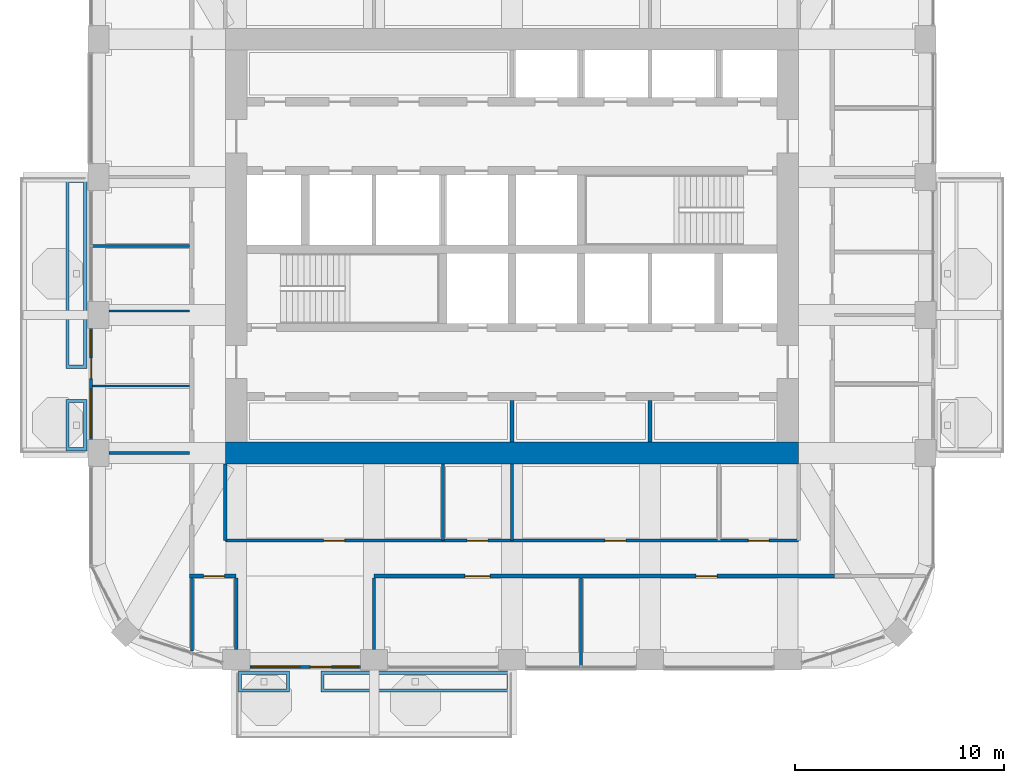
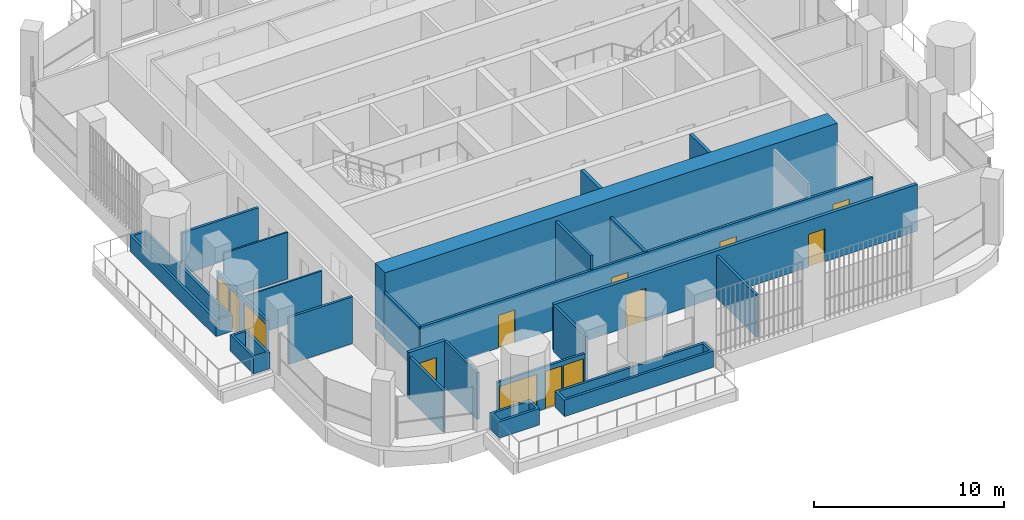
# One storey, part 11 of 20: 23 walls, 9 doors, 4 windows, 13 openings.
"""IFC4 building model written with IfcOpenShell, lengths in metres."""

from ifc_helpers import new_model, si_unit, direction, frame, frame_2d, origin, place, context, subcontext, project, spatial, polyline, rectangle, outline, extrude, material, layer, layer_set, type_object, element, fill, save


model = new_model("IFC4")

# Units and contexts
model_context = context("Model", 3, precision=1e-05, world=origin(), true_north=direction((0.0, 1.0)))
body_context = subcontext(model_context, "Body", "Model", "MODEL_VIEW")
ifc_project = project(units=[si_unit("LENGTHUNIT", "METRE"), si_unit("AREAUNIT", "SQUARE_METRE"), si_unit("VOLUMEUNIT", "CUBIC_METRE"), si_unit("PLANEANGLEUNIT", "RADIAN"), si_unit("MASSUNIT", "GRAM", prefix="KILO")], contexts=[model_context])

# Site, building, storey
site_placement = place(None, origin())
site = spatial("IfcSite", under=ifc_project, at=site_placement, CompositionType="ELEMENT")
building_placement = place(site_placement, origin())
building = spatial("IfcBuilding", under=site, at=building_placement, Name="Cobogo Forest Laboratory Tower", CompositionType="ELEMENT")
storey_placement = place(building_placement, frame((0.0, 0.0, 254.39990234375)))
storey = spatial("IfcBuildingStorey", under=building, at=storey_placement, Name="L58", CompositionType="ELEMENT", Elevation=254.39990234375)

# Wall
ifc_material_1 = material(Name="Concrete HA-50 (C50/60)", Category="concrete")
ifc_layer_1 = layer(ifc_material_1, 1.050048828125)
ifc_layer_set_1 = layer_set([ifc_layer_1], Name="CW1050 core outer wall 1050")
wall_type_1 = type_object("IfcWallType", Name="CW1050 core outer wall 1050", PredefinedType="SHEAR", material=ifc_layer_set_1)
wall_1_placement = place(storey_placement, frame((12.675048828125, 13.199951171875, 0.0), z_axis=(0.0, 0.0, 1.0), x_axis=(1.0, 0.0, 0.0)))
element("IfcWall", 1, at=wall_1_placement, inside=storey, type_object=wall_type_1, Name="Core wall CO-S L58", PredefinedType="SHEAR", context=body_context, shape_type="SweptSolid", body=[
    extrude(rectangle(XDim=27.449951171875, YDim=1.050048828125, at=frame_2d((13.72509765625, 0.0))), origin(), (0.0, 0.0, 1.0), 4.2001953125),
])

# Wall, openings, door, windows
ifc_material_2 = material(Name="Aluminium framed glazed screen", Category="aluminium")
ifc_layer_2 = layer(ifc_material_2, 0.14990234375)
ifc_layer_set_2 = layer_set([ifc_layer_2], Name="GS1 glazed door screen 150")
wall_type_2 = type_object("IfcWallType", Name="GS1 glazed door screen 150", PredefinedType="SOLIDWALL", material=ifc_layer_set_2)
wall_2_placement = place(storey_placement, frame((13.85009765625, 2.949951171875, 0.0), z_axis=(0.0, 0.0, 1.0), x_axis=(1.0, 0.0, 0.0)))
wall_2 = element("IfcWall", 2, at=wall_2_placement, inside=storey, type_object=wall_type_2, Name="Door screen BAL-S1 L58", PredefinedType="SOLIDWALL", context=body_context, shape_type="SweptSolid", body=[
    extrude(rectangle(XDim=5.2998046875, YDim=0.14990234375, at=frame_2d((2.64990234375, 0.0))), origin(), (0.0, 0.0, 1.0), 2.7001953125),
])
opening_1_placement = place(wall_2_placement, frame((2.89990234375, 0.0, 0.0)))
opening_1 = element("IfcOpeningElement", 3, at=opening_1_placement, cuts=wall_2, Name="Opening L58-D01", PredefinedType="OPENING", context=body_context, shape_type="SweptSolid", body=[
    extrude(rectangle(XDim=1.0, YDim=2.39990234375, at=frame_2d((0.5, 1.199951171875))), frame((0.0, 0.0849609375, 0.0), z_axis=(0.0, -1.0, 0.0), x_axis=(1.0, 0.0, 0.0)), (0.0, 0.0, 1.0), 0.169921875),
])
opening_2_placement = place(wall_2_placement, frame((0.10009765625, 0.0, 0.10009765625)))
opening_2 = element("IfcOpeningElement", 4, at=opening_2_placement, cuts=wall_2, Name="Opening L58-W01", PredefinedType="OPENING", context=body_context, shape_type="SweptSolid", body=[
    extrude(rectangle(XDim=2.300048828125, YDim=2.300048828125, at=frame_2d((1.14990234375, 1.14990234375))), frame((0.0, 0.0849609375, 0.0), z_axis=(0.0, -1.0, 0.0), x_axis=(1.0, 0.0, 0.0)), (0.0, 0.0, 1.0), 0.169921875),
])
opening_3_placement = place(wall_2_placement, frame((4.0, 0.0, 0.10009765625)))
opening_3 = element("IfcOpeningElement", 5, at=opening_3_placement, cuts=wall_2, Name="Opening L58-W02", PredefinedType="OPENING", context=body_context, shape_type="SweptSolid", body=[
    extrude(rectangle(XDim=1.199951171875, YDim=2.300048828125, at=frame_2d((0.60009765625, 1.14990234375))), frame((0.0, 0.0849609375, 0.0), z_axis=(0.0, -1.0, 0.0), x_axis=(1.0, 0.0, 0.0)), (0.0, 0.0, 1.0), 0.169921875),
])
ifc_material_3 = material(Name="Aluminium glazed door", Category="aluminium")
door_type_1 = type_object("IfcDoorType", Name="DB1 balcony door 1000 glazed", OperationType="SINGLE_SWING_LEFT", PredefinedType="DOOR", material=ifc_material_3)
door_1_placement = place(opening_1_placement, origin())
door_1 = element("IfcDoor", 6, at=door_1_placement, inside=storey, type_object=door_type_1, Name="Door L58-BAL-S1", OperationType="SINGLE_SWING_RIGHT", OverallHeight=2.39990234375, OverallWidth=1.0, PredefinedType="DOOR", context=body_context, shape_type="SweptSolid", body=[
    extrude(rectangle(XDim=1.0, YDim=2.39990234375, at=frame_2d((0.5, 1.199951171875))), frame((0.0, 0.02490234375, 0.0), z_axis=(0.0, -1.0, 0.0), x_axis=(1.0, 0.0, 0.0)), (0.0, 0.0, 1.0), 0.050048828125),
])
fill(opening_1, door_1)
ifc_material_4 = material(Name="Aluminium framed glazing", Category="aluminium")
window_type_1 = type_object("IfcWindowType", Name="WG21 fixed glazed light 2300x2300", PartitioningType="SINGLE_PANEL", PredefinedType="WINDOW", material=ifc_material_4)
window_1_placement = place(opening_2_placement, origin())
window_1 = element("IfcWindow", 7, at=window_1_placement, inside=storey, type_object=window_type_1, Name="Window L58-BAL-S1-1", OverallHeight=2.300048828125, OverallWidth=2.300048828125, PartitioningType="SINGLE_PANEL", PredefinedType="WINDOW", context=body_context, shape_type="SweptSolid", body=[
    extrude(rectangle(XDim=2.300048828125, YDim=2.300048828125, at=frame_2d((1.14990234375, 1.14990234375))), frame((0.0, 0.030029296875, 0.0), z_axis=(0.0, -1.0, 0.0), x_axis=(1.0, 0.0, 0.0)), (0.0, 0.0, 1.0), 0.06005859375),
])
fill(opening_2, window_1)
window_type_2 = type_object("IfcWindowType", Name="WG22 fixed glazed light 1200x2300", PartitioningType="SINGLE_PANEL", PredefinedType="WINDOW", material=ifc_material_4)
window_2_placement = place(opening_3_placement, origin())
window_2 = element("IfcWindow", 8, at=window_2_placement, inside=storey, type_object=window_type_2, Name="Window L58-BAL-S1-2", OverallHeight=2.300048828125, OverallWidth=1.199951171875, PartitioningType="SINGLE_PANEL", PredefinedType="WINDOW", context=body_context, shape_type="SweptSolid", body=[
    extrude(rectangle(XDim=1.199951171875, YDim=2.300048828125, at=frame_2d((0.60009765625, 1.14990234375))), frame((0.0, 0.030029296875, 0.0), z_axis=(0.0, -1.0, 0.0), x_axis=(1.0, 0.0, 0.0)), (0.0, 0.0, 1.0), 0.06005859375),
])
fill(opening_3, window_2)

wall_3_placement = place(storey_placement, frame((6.25, 19.14990234375, 0.0), z_axis=(0.0, 0.0, 1.0), x_axis=(0.0, -1.0, 0.0)))
wall_3 = element("IfcWall", 9, at=wall_3_placement, inside=storey, type_object=wall_type_2, Name="Door screen BAL-W1 L58", PredefinedType="SOLIDWALL", context=body_context, shape_type="SweptSolid", body=[
    extrude(rectangle(XDim=5.2998046875, YDim=0.14990234375, at=frame_2d((2.64990234375, 0.0))), origin(), (0.0, 0.0, 1.0), 2.7001953125),
])
opening_4_placement = place(wall_3_placement, frame((1.39990234375, 0.0, 0.0)))
opening_4 = element("IfcOpeningElement", 10, at=opening_4_placement, cuts=wall_3, Name="Opening L58-D20", PredefinedType="OPENING", context=body_context, shape_type="SweptSolid", body=[
    extrude(rectangle(XDim=1.0, YDim=2.39990234375, at=frame_2d((0.5, 1.199951171875))), frame((0.0, 0.0849609375, 0.0), z_axis=(0.0, -1.0, 0.0), x_axis=(1.0, 0.0, 0.0)), (0.0, 0.0, 1.0), 0.169921875),
])
opening_5_placement = place(wall_3_placement, frame((0.10009765625, 0.0, 0.10009765625)))
opening_5 = element("IfcOpeningElement", 11, at=opening_5_placement, cuts=wall_3, Name="Opening L58-W05", PredefinedType="OPENING", context=body_context, shape_type="SweptSolid", body=[
    extrude(rectangle(XDim=1.199951171875, YDim=2.300048828125, at=frame_2d((0.60009765625, 1.14990234375))), frame((0.0, 0.0849609375, 0.0), z_axis=(0.0, -1.0, 0.0), x_axis=(1.0, 0.0, 0.0)), (0.0, 0.0, 1.0), 0.169921875),
])
opening_6_placement = place(wall_3_placement, frame((2.89990234375, 0.0, 0.10009765625)))
opening_6 = element("IfcOpeningElement", 12, at=opening_6_placement, cuts=wall_3, Name="Opening L58-W03", PredefinedType="OPENING", context=body_context, shape_type="SweptSolid", body=[
    extrude(rectangle(XDim=2.300048828125, YDim=2.300048828125, at=frame_2d((1.14990234375, 1.14990234375))), frame((0.0, 0.0849609375, 0.0), z_axis=(0.0, -1.0, 0.0), x_axis=(1.0, 0.0, 0.0)), (0.0, 0.0, 1.0), 0.169921875),
])
door_2_placement = place(opening_4_placement, origin())
door_2 = element("IfcDoor", 13, at=door_2_placement, inside=storey, type_object=door_type_1, Name="Door L58-BAL-W1", OperationType="SINGLE_SWING_LEFT", OverallHeight=2.39990234375, OverallWidth=1.0, PredefinedType="DOOR", context=body_context, shape_type="SweptSolid", body=[
    extrude(rectangle(XDim=1.0, YDim=2.39990234375, at=frame_2d((0.5, 1.199951171875))), frame((0.0, 0.02490234375, 0.0), z_axis=(0.0, -1.0, 0.0), x_axis=(1.0, 0.0, 0.0)), (0.0, 0.0, 1.0), 0.050048828125),
])
fill(opening_4, door_2)
window_3_placement = place(opening_6_placement, origin())
window_3 = element("IfcWindow", 14, at=window_3_placement, inside=storey, type_object=window_type_1, Name="Window L58-BAL-W1-2", OverallHeight=2.300048828125, OverallWidth=2.300048828125, PartitioningType="SINGLE_PANEL", PredefinedType="WINDOW", context=body_context, shape_type="SweptSolid", body=[
    extrude(rectangle(XDim=2.300048828125, YDim=2.300048828125, at=frame_2d((1.14990234375, 1.14990234375))), frame((0.0, 0.030029296875, 0.0), z_axis=(0.0, -1.0, 0.0), x_axis=(1.0, 0.0, 0.0)), (0.0, 0.0, 1.0), 0.06005859375),
])
fill(opening_6, window_3)
window_4_placement = place(opening_5_placement, origin())
window_4 = element("IfcWindow", 15, at=window_4_placement, inside=storey, type_object=window_type_2, Name="Window L58-BAL-W1-1", OverallHeight=2.300048828125, OverallWidth=1.199951171875, PartitioningType="SINGLE_PANEL", PredefinedType="WINDOW", context=body_context, shape_type="SweptSolid", body=[
    extrude(rectangle(XDim=1.199951171875, YDim=2.300048828125, at=frame_2d((0.60009765625, 1.14990234375))), frame((0.0, 0.030029296875, 0.0), z_axis=(0.0, -1.0, 0.0), x_axis=(1.0, 0.0, 0.0)), (0.0, 0.0, 1.0), 0.06005859375),
])
fill(opening_5, window_4)

# Wall, openings, doors
ifc_material_5 = material(Name="Gypsum board on steel studs", Category="steel")
ifc_layer_3 = layer(ifc_material_5, 0.14990234375)
ifc_layer_set_3 = layer_set([ifc_layer_3], Name="PT1 laboratory partition 150")
wall_type_3 = type_object("IfcWallType", Name="PT1 laboratory partition 150", PredefinedType="PARTITIONING", material=ifc_layer_set_3)
wall_4_placement = place(storey_placement, frame((12.675048828125, 9.0, 0.0), z_axis=(0.0, 0.0, 1.0), x_axis=(1.0, 0.0, 0.0)))
wall_4 = element("IfcWall", 16, at=wall_4_placement, inside=storey, type_object=wall_type_3, Name="Partition CSTRIP-S L58", PredefinedType="PARTITIONING", context=body_context, shape_type="SweptSolid", body=[
    extrude(rectangle(XDim=27.449951171875, YDim=0.14990234375, at=frame_2d((13.72509765625, 0.0))), origin(), (0.0, 0.0, 1.0), 3.0),
])
opening_7_placement = place(wall_4_placement, frame((4.71240234375, 0.0, 0.0)))
opening_7 = element("IfcOpeningElement", 17, at=opening_7_placement, cuts=wall_4, Name="Opening L58-D05", PredefinedType="OPENING", context=body_context, shape_type="SweptSolid", body=[
    extrude(rectangle(XDim=1.0, YDim=2.10009765625, at=frame_2d((0.5, 1.050048828125))), frame((0.0, 0.0849609375, 0.0), z_axis=(0.0, -1.0, 0.0), x_axis=(1.0, 0.0, 0.0)), (0.0, 0.0, 1.0), 0.169921875),
])
opening_8_placement = place(wall_4_placement, frame((11.574951171875, 0.0, 0.0)))
opening_8 = element("IfcOpeningElement", 18, at=opening_8_placement, cuts=wall_4, Name="Opening L58-D06", PredefinedType="OPENING", context=body_context, shape_type="SweptSolid", body=[
    extrude(rectangle(XDim=1.0, YDim=2.10009765625, at=frame_2d((0.5, 1.050048828125))), frame((0.0, 0.0849609375, 0.0), z_axis=(0.0, -1.0, 0.0), x_axis=(1.0, 0.0, 0.0)), (0.0, 0.0, 1.0), 0.169921875),
])
opening_9_placement = place(wall_4_placement, frame((18.175048828125, 0.0, 0.0)))
opening_9 = element("IfcOpeningElement", 19, at=opening_9_placement, cuts=wall_4, Name="Opening L58-D07", PredefinedType="OPENING", context=body_context, shape_type="SweptSolid", body=[
    extrude(rectangle(XDim=1.0, YDim=2.10009765625, at=frame_2d((0.5, 1.050048828125))), frame((0.0, 0.0849609375, 0.0), z_axis=(0.0, -1.0, 0.0), x_axis=(1.0, 0.0, 0.0)), (0.0, 0.0, 1.0), 0.169921875),
])
opening_10_placement = place(wall_4_placement, frame((25.03759765625, 0.0, 0.0)))
opening_10 = element("IfcOpeningElement", 20, at=opening_10_placement, cuts=wall_4, Name="Opening L58-D08", PredefinedType="OPENING", context=body_context, shape_type="SweptSolid", body=[
    extrude(rectangle(XDim=1.0, YDim=2.10009765625, at=frame_2d((0.5, 1.050048828125))), frame((0.0, 0.0849609375, 0.0), z_axis=(0.0, -1.0, 0.0), x_axis=(1.0, 0.0, 0.0)), (0.0, 0.0, 1.0), 0.169921875),
])
ifc_material_6 = material(Name="Timber fire door", Category="wood")
door_type_2 = type_object("IfcDoorType", Name="FD2 fire door 1000 EI2 30", OperationType="SINGLE_SWING_LEFT", PredefinedType="DOOR", material=ifc_material_6)
door_3_placement = place(opening_7_placement, origin())
door_3 = element("IfcDoor", 21, at=door_3_placement, inside=storey, type_object=door_type_2, Name="Door L58-CSS1", OperationType="SINGLE_SWING_LEFT", OverallHeight=2.10009765625, OverallWidth=1.0, PredefinedType="DOOR", context=body_context, shape_type="SweptSolid", body=[
    extrude(rectangle(XDim=1.0, YDim=2.10009765625, at=frame_2d((0.5, 1.050048828125))), frame((0.0, 0.02490234375, 0.0), z_axis=(0.0, -1.0, 0.0), x_axis=(1.0, 0.0, 0.0)), (0.0, 0.0, 1.0), 0.050048828125),
])
fill(opening_7, door_3)
door_4_placement = place(opening_8_placement, origin())
door_4 = element("IfcDoor", 22, at=door_4_placement, inside=storey, type_object=door_type_2, Name="Door L58-CSS2", OperationType="SINGLE_SWING_LEFT", OverallHeight=2.10009765625, OverallWidth=1.0, PredefinedType="DOOR", context=body_context, shape_type="SweptSolid", body=[
    extrude(rectangle(XDim=1.0, YDim=2.10009765625, at=frame_2d((0.5, 1.050048828125))), frame((0.0, 0.02490234375, 0.0), z_axis=(0.0, -1.0, 0.0), x_axis=(1.0, 0.0, 0.0)), (0.0, 0.0, 1.0), 0.050048828125),
])
fill(opening_8, door_4)
door_5_placement = place(opening_9_placement, origin())
door_5 = element("IfcDoor", 23, at=door_5_placement, inside=storey, type_object=door_type_2, Name="Door L58-CSS3", OperationType="SINGLE_SWING_RIGHT", OverallHeight=2.10009765625, OverallWidth=1.0, PredefinedType="DOOR", context=body_context, shape_type="SweptSolid", body=[
    extrude(rectangle(XDim=1.0, YDim=2.10009765625, at=frame_2d((0.5, 1.050048828125))), frame((0.0, 0.02490234375, 0.0), z_axis=(0.0, -1.0, 0.0), x_axis=(1.0, 0.0, 0.0)), (0.0, 0.0, 1.0), 0.050048828125),
])
fill(opening_9, door_5)
door_6_placement = place(opening_10_placement, origin())
door_6 = element("IfcDoor", 24, at=door_6_placement, inside=storey, type_object=door_type_2, Name="Door L58-CSS4", OperationType="SINGLE_SWING_RIGHT", OverallHeight=2.10009765625, OverallWidth=1.0, PredefinedType="DOOR", context=body_context, shape_type="SweptSolid", body=[
    extrude(rectangle(XDim=1.0, YDim=2.10009765625, at=frame_2d((0.5, 1.050048828125))), frame((0.0, 0.02490234375, 0.0), z_axis=(0.0, -1.0, 0.0), x_axis=(1.0, 0.0, 0.0)), (0.0, 0.0, 1.0), 0.050048828125),
])
fill(opening_10, door_6)

# Walls
wall_5_placement = place(storey_placement, frame((12.675048828125, 12.675048828125, 0.0), z_axis=(0.0, 0.0, 1.0), x_axis=(0.0, -1.0, 0.0)))
element("IfcWall", 25, at=wall_5_placement, inside=storey, type_object=wall_type_3, Name="Partition CSTRIP-SW L58", PredefinedType="PARTITIONING", context=body_context, shape_type="SweptSolid", body=[
    extrude(rectangle(XDim=3.675048828125, YDim=0.14990234375, at=frame_2d((1.83740234375, 0.0))), origin(), (0.0, 0.0, 1.0), 3.0),
])
wall_6_placement = place(storey_placement, frame((23.10009765625, 12.675048828125, 0.0), z_axis=(0.0, 0.0, 1.0), x_axis=(0.0, -1.0, 0.0)))
element("IfcWall", 26, at=wall_6_placement, inside=storey, type_object=wall_type_3, Name="Partition CSTRIP-S23.1 L58", PredefinedType="PARTITIONING", context=body_context, shape_type="SweptSolid", body=[
    extrude(rectangle(XDim=3.675048828125, YDim=0.14990234375, at=frame_2d((1.83740234375, 0.0))), origin(), (0.0, 0.0, 1.0), 3.900146484375),
])
wall_7_placement = place(storey_placement, frame((26.39990234375, 12.675048828125, 0.0), z_axis=(0.0, 0.0, 1.0), x_axis=(0.0, -1.0, 0.0)))
element("IfcWall", 27, at=wall_7_placement, inside=storey, type_object=wall_type_3, Name="Partition CSTRIP-S26.4 L58", PredefinedType="PARTITIONING", context=body_context, shape_type="SweptSolid", body=[
    extrude(rectangle(XDim=3.675048828125, YDim=0.14990234375, at=frame_2d((1.83740234375, 0.0))), origin(), (0.0, 0.0, 1.0), 3.0),
])
wall_8_placement = place(storey_placement, frame((11.074951171875, 3.705078125, 0.0), z_axis=(0.0, 0.0, 1.0), x_axis=(0.0, 1.0, 0.0)))
element("IfcWall", 28, at=wall_8_placement, inside=storey, type_object=wall_type_3, Name="Partition PW-SW L58", PredefinedType="PARTITIONING", context=body_context, shape_type="SweptSolid", body=[
    extrude(rectangle(XDim=3.494873046875, YDim=0.14990234375, at=frame_2d((1.74755859375, 0.0))), origin(), (0.0, 0.0, 1.0), 2.7001953125),
])
for number, where, z_axis, x_axis, name in (
    (29, (13.199951171875, 3.800048828125, 0.0), (0.0, 0.0, 1.0), (0.0, 1.0, 0.0), "Partition CUT-S13.2-1 L58"),
    (30, (19.800048828125, 3.800048828125, 0.0), (0.0, 0.0, 1.0), (0.0, 1.0, 0.0), "Partition CUT-S19.8-1 L58"),
):
    element("IfcWall", number, at=place(storey_placement, frame(where, z_axis=z_axis, x_axis=x_axis)), inside=storey, type_object=wall_type_3, Name=name, PredefinedType="PARTITIONING", context=body_context, shape_type="SweptSolid", body=[
        extrude(rectangle(XDim=3.39990234375, YDim=0.14990234375, at=frame_2d((1.699951171875, 0.0))), origin(), (0.0, 0.0, 1.0), 3.0),
    ])
wall_9_placement = place(storey_placement, frame((29.699951171875, 3.030029296875, 0.0), z_axis=(0.0, 0.0, 1.0), x_axis=(0.0, 1.0, 0.0)))
element("IfcWall", 31, at=wall_9_placement, inside=storey, type_object=wall_type_3, Name="Partition CUT-S29.7-1 L58", PredefinedType="PARTITIONING", context=body_context, shape_type="SweptSolid", body=[
    extrude(rectangle(XDim=4.169921875, YDim=0.14990234375, at=frame_2d((2.0849609375, 0.0))), origin(), (0.0, 0.0, 1.0), 2.7001953125),
])
wall_10_placement = place(storey_placement, frame((6.330078125, 23.10009765625, 0.0), z_axis=(0.0, 0.0, 1.0), x_axis=(1.0, 0.0, 0.0)))
element("IfcWall", 32, at=wall_10_placement, inside=storey, type_object=wall_type_3, Name="Partition SVC-W3-1 L58", PredefinedType="PARTITIONING", context=body_context, shape_type="SweptSolid", body=[
    extrude(rectangle(XDim=4.64501953125, YDim=0.14990234375, at=frame_2d((2.322509765625, 0.0))), origin(), (0.0, 0.0, 1.0), 2.7001953125),
])
wall_11_placement = place(storey_placement, frame((7.10009765625, 13.199951171875, 0.0), z_axis=(0.0, 0.0, 1.0), x_axis=(1.0, 0.0, 0.0)))
element("IfcWall", 33, at=wall_11_placement, inside=storey, type_object=wall_type_3, Name="Partition CUT-W13.2-1 L58", PredefinedType="PARTITIONING", context=body_context, shape_type="SweptSolid", body=[
    extrude(rectangle(XDim=3.875, YDim=0.14990234375, at=frame_2d((1.9375, 0.0))), origin(), (0.0, 0.0, 1.0), 3.0),
])

# Wall, opening, door
ifc_layer_4 = layer(ifc_material_5, 0.199951171875)
ifc_layer_set_4 = layer_set([ifc_layer_4], Name="PT2 fire-rated corridor partition 200")
wall_type_4 = type_object("IfcWallType", Name="PT2 fire-rated corridor partition 200", PredefinedType="PARTITIONING", material=ifc_layer_set_4)
wall_12_placement = place(storey_placement, frame((10.97509765625, 7.300048828125, 0.0), z_axis=(0.0, 0.0, 1.0), x_axis=(1.0, 0.0, 0.0)))
wall_12 = element("IfcWall", 34, at=wall_12_placement, inside=storey, type_object=wall_type_4, Name="Partition CORR-S-1 L58", PredefinedType="PARTITIONING", context=body_context, shape_type="SweptSolid", body=[
    extrude(rectangle(XDim=2.224853515625, YDim=0.199951171875, at=frame_2d((1.1123046875, 0.0))), origin(), (0.0, 0.0, 1.0), 3.0),
])
opening_11_placement = place(wall_12_placement, frame((0.66259765625, 0.0, 0.0)))
opening_11 = element("IfcOpeningElement", 35, at=opening_11_placement, cuts=wall_12, Name="Opening L58-D02", PredefinedType="OPENING", context=body_context, shape_type="SweptSolid", body=[
    extrude(rectangle(XDim=1.0, YDim=2.10009765625, at=frame_2d((0.5, 1.050048828125))), frame((0.0, 0.10986328125, 0.0), z_axis=(0.0, -1.0, 0.0), x_axis=(1.0, 0.0, 0.0)), (0.0, 0.0, 1.0), 0.219970703125),
])
door_7_placement = place(opening_11_placement, origin())
door_7 = element("IfcDoor", 36, at=door_7_placement, inside=storey, type_object=door_type_2, Name="Door L58-S1", OperationType="SINGLE_SWING_RIGHT", OverallHeight=2.10009765625, OverallWidth=1.0, PredefinedType="DOOR", context=body_context, shape_type="SweptSolid", body=[
    extrude(rectangle(XDim=1.0, YDim=2.10009765625, at=frame_2d((0.5, 1.050048828125))), frame((0.0, 0.02490234375, 0.0), z_axis=(0.0, -1.0, 0.0), x_axis=(1.0, 0.0, 0.0)), (0.0, 0.0, 1.0), 0.050048828125),
])
fill(opening_11, door_7)

# Wall, openings, doors
wall_13_placement = place(storey_placement, frame((19.800048828125, 7.300048828125, 0.0), z_axis=(0.0, 0.0, 1.0), x_axis=(1.0, 0.0, 0.0)))
wall_13 = element("IfcWall", 37, at=wall_13_placement, inside=storey, type_object=wall_type_4, Name="Partition CORR-S-2 L58", PredefinedType="PARTITIONING", context=body_context, shape_type="SweptSolid", body=[
    extrude(rectangle(XDim=22.02490234375, YDim=0.199951171875, at=frame_2d((11.012451171875, 0.0))), origin(), (0.0, 0.0, 1.0), 3.0),
])
opening_12_placement = place(wall_13_placement, frame((4.35009765625, 0.0, 0.0)))
opening_12 = element("IfcOpeningElement", 38, at=opening_12_placement, cuts=wall_13, Name="Opening L58-D03", PredefinedType="OPENING", context=body_context, shape_type="SweptSolid", body=[
    extrude(rectangle(XDim=1.199951171875, YDim=2.10009765625, at=frame_2d((0.60009765625, 1.050048828125))), frame((0.0, 0.10986328125, 0.0), z_axis=(0.0, -1.0, 0.0), x_axis=(1.0, 0.0, 0.0)), (0.0, 0.0, 1.0), 0.219970703125),
])
opening_13_placement = place(wall_13_placement, frame((15.41259765625, 0.0, 0.0)))
opening_13 = element("IfcOpeningElement", 39, at=opening_13_placement, cuts=wall_13, Name="Opening L58-D04", PredefinedType="OPENING", context=body_context, shape_type="SweptSolid", body=[
    extrude(rectangle(XDim=1.0, YDim=2.10009765625, at=frame_2d((0.5, 1.050048828125))), frame((0.0, 0.10986328125, 0.0), z_axis=(0.0, -1.0, 0.0), x_axis=(1.0, 0.0, 0.0)), (0.0, 0.0, 1.0), 0.219970703125),
])
ifc_material_7 = material(Name="Timber door", Category="wood")
door_type_3 = type_object("IfcDoorType", Name="D2 laboratory door 1200 unequal pair", OperationType="DOUBLE_DOOR_SINGLE_SWING", PredefinedType="DOOR", material=ifc_material_7)
door_8_placement = place(opening_12_placement, origin())
door_8 = element("IfcDoor", 40, at=door_8_placement, inside=storey, type_object=door_type_3, Name="Door L58-S3", OperationType="DOUBLE_DOOR_SINGLE_SWING", OverallHeight=2.10009765625, OverallWidth=1.199951171875, PredefinedType="DOOR", context=body_context, shape_type="SweptSolid", body=[
    extrude(rectangle(XDim=1.199951171875, YDim=2.10009765625, at=frame_2d((0.60009765625, 1.050048828125))), frame((0.0, 0.02490234375, 0.0), z_axis=(0.0, -1.0, 0.0), x_axis=(1.0, 0.0, 0.0)), (0.0, 0.0, 1.0), 0.050048828125),
])
fill(opening_12, door_8)
door_9_placement = place(opening_13_placement, origin())
door_9 = element("IfcDoor", 41, at=door_9_placement, inside=storey, type_object=door_type_2, Name="Door L58-S4", OperationType="SINGLE_SWING_RIGHT", OverallHeight=2.10009765625, OverallWidth=1.0, PredefinedType="DOOR", context=body_context, shape_type="SweptSolid", body=[
    extrude(rectangle(XDim=1.0, YDim=2.10009765625, at=frame_2d((0.5, 1.050048828125))), frame((0.0, 0.02490234375, 0.0), z_axis=(0.0, -1.0, 0.0), x_axis=(1.0, 0.0, 0.0)), (0.0, 0.0, 1.0), 0.050048828125),
])
fill(opening_13, door_9)

# Walls
ifc_layer_5 = layer(ifc_material_5, 0.10009765625)
ifc_layer_set_5 = layer_set([ifc_layer_5], Name="PT3 toilet partition 100")
wall_type_5 = type_object("IfcWallType", Name="PT3 toilet partition 100", PredefinedType="PARTITIONING", material=ifc_layer_set_5)
wall_14_placement = place(storey_placement, frame((6.330078125, 16.39990234375, 0.0), z_axis=(0.0, 0.0, 1.0), x_axis=(1.0, 0.0, 0.0)))
element("IfcWall", 42, at=wall_14_placement, inside=storey, type_object=wall_type_5, Name="Partition SVC-W1-1 L58", PredefinedType="PARTITIONING", context=body_context, shape_type="SweptSolid", body=[
    extrude(rectangle(XDim=4.64501953125, YDim=0.10009765625, at=frame_2d((2.322509765625, 0.0))), origin(), (0.0, 0.0, 1.0), 2.7001953125),
])
wall_15_placement = place(storey_placement, frame((7.10009765625, 20.0, 0.0), z_axis=(0.0, 0.0, 1.0), x_axis=(1.0, 0.0, 0.0)))
element("IfcWall", 43, at=wall_15_placement, inside=storey, type_object=wall_type_5, Name="Partition SVC-W2-1 L58", PredefinedType="PARTITIONING", context=body_context, shape_type="SweptSolid", body=[
    extrude(rectangle(XDim=3.875, YDim=0.10009765625, at=frame_2d((1.9375, 0.0))), origin(), (0.0, 0.0, 1.0), 3.0),
])
ifc_material_8 = material(Name="Concrete HA-40 (C40/50)", Category="concrete")
ifc_layer_6 = layer(ifc_material_8, 0.14990234375)
ifc_layer_set_6 = layer_set([ifc_layer_6], Name="Planter box 1000x1050")
wall_type_6 = type_object("IfcWallType", Name="Planter box 1000x1050", PredefinedType="USERDEFINED", material=ifc_layer_set_6)
wall_16_placement = place(storey_placement, origin())
element("IfcWall", 44, at=wall_16_placement, inside=storey, type_object=wall_type_6, Name="Planter BAL-S1-1 L58", ObjectType="PLANTER", PredefinedType="USERDEFINED", context=body_context, shape_type="SweptSolid", body=[
    extrude(outline(polyline([(13.300048828125, 1.75), (15.75, 1.75), (15.75, 2.75), (13.300048828125, 2.75), (13.300048828125, 1.75)]), holes=[polyline([(13.449951171875, 1.89990234375), (15.60009765625, 1.89990234375), (15.60009765625, 2.60009765625), (13.449951171875, 2.60009765625), (13.449951171875, 1.89990234375)])]), origin(), (0.0, 0.0, 1.0), 1.050048828125),
])
wall_17_placement = place(storey_placement, origin())
element("IfcWall", 45, at=wall_17_placement, inside=storey, type_object=wall_type_6, Name="Planter BAL-S1-2 L58", ObjectType="PLANTER", PredefinedType="USERDEFINED", context=body_context, shape_type="SweptSolid", body=[
    extrude(outline(polyline([(17.25, 1.75), (26.300048828125, 1.75), (26.300048828125, 2.75), (17.25, 2.75), (17.25, 1.75)]), holes=[polyline([(17.39990234375, 1.89990234375), (26.14990234375, 1.89990234375), (26.14990234375, 2.60009765625), (17.39990234375, 2.60009765625), (17.39990234375, 1.89990234375)])]), origin(), (0.0, 0.0, 1.0), 1.050048828125),
])
wall_18_placement = place(storey_placement, origin())
element("IfcWall", 46, at=wall_18_placement, inside=storey, type_object=wall_type_6, Name="Planter BAL-W1-1 L58", ObjectType="PLANTER", PredefinedType="USERDEFINED", context=body_context, shape_type="SweptSolid", body=[
    extrude(outline(polyline([(5.050048828125, 13.300048828125), (6.050048828125, 13.300048828125), (6.050048828125, 15.75), (5.050048828125, 15.75), (5.050048828125, 13.300048828125)]), holes=[polyline([(5.199951171875, 13.449951171875), (5.89990234375, 13.449951171875), (5.89990234375, 15.60009765625), (5.199951171875, 15.60009765625), (5.199951171875, 13.449951171875)])]), origin(), (0.0, 0.0, 1.0), 1.050048828125),
])
wall_19_placement = place(storey_placement, origin())
element("IfcWall", 47, at=wall_19_placement, inside=storey, type_object=wall_type_6, Name="Planter BAL-W1-2 L58", ObjectType="PLANTER", PredefinedType="USERDEFINED", context=body_context, shape_type="SweptSolid", body=[
    extrude(outline(polyline([(5.050048828125, 17.25), (6.050048828125, 17.25), (6.050048828125, 26.300048828125), (5.050048828125, 26.300048828125), (5.050048828125, 17.25)]), holes=[polyline([(5.199951171875, 17.39990234375), (5.89990234375, 17.39990234375), (5.89990234375, 26.14990234375), (5.199951171875, 26.14990234375), (5.199951171875, 17.39990234375)])]), origin(), (0.0, 0.0, 1.0), 1.050048828125),
])
ifc_material_9 = material(Name="Concrete block", Category="concrete")
ifc_layer_7 = layer(ifc_material_9, 0.199951171875)
ifc_layer_set_7 = layer_set([ifc_layer_7], Name="SW200 lift shaft separator 200")
wall_type_7 = type_object("IfcWallType", Name="SW200 lift shaft separator 200", PredefinedType="PARTITIONING", material=ifc_layer_set_7)
for number, where, z_axis, x_axis, name in (
    (48, (26.39990234375, 13.72509765625, 0.0), (0.0, 0.0, 1.0), (0.0, 1.0, 0.0), "Core wall SEP-S4 L58"),
    (49, (33.0, 13.72509765625, 0.0), (0.0, 0.0, 1.0), (0.0, 1.0, 0.0), "Core wall SEP-S6 L58"),
):
    element("IfcWall", number, at=place(storey_placement, frame(where, z_axis=z_axis, x_axis=x_axis)), inside=storey, type_object=wall_type_7, Name=name, PredefinedType="PARTITIONING", context=body_context, shape_type="SweptSolid", body=[
        extrude(rectangle(XDim=1.974853515625, YDim=0.199951171875, at=frame_2d((0.9873046875, 0.0))), origin(), (0.0, 0.0, 1.0), 4.2001953125),
    ])

save(model, "model.ifc")
